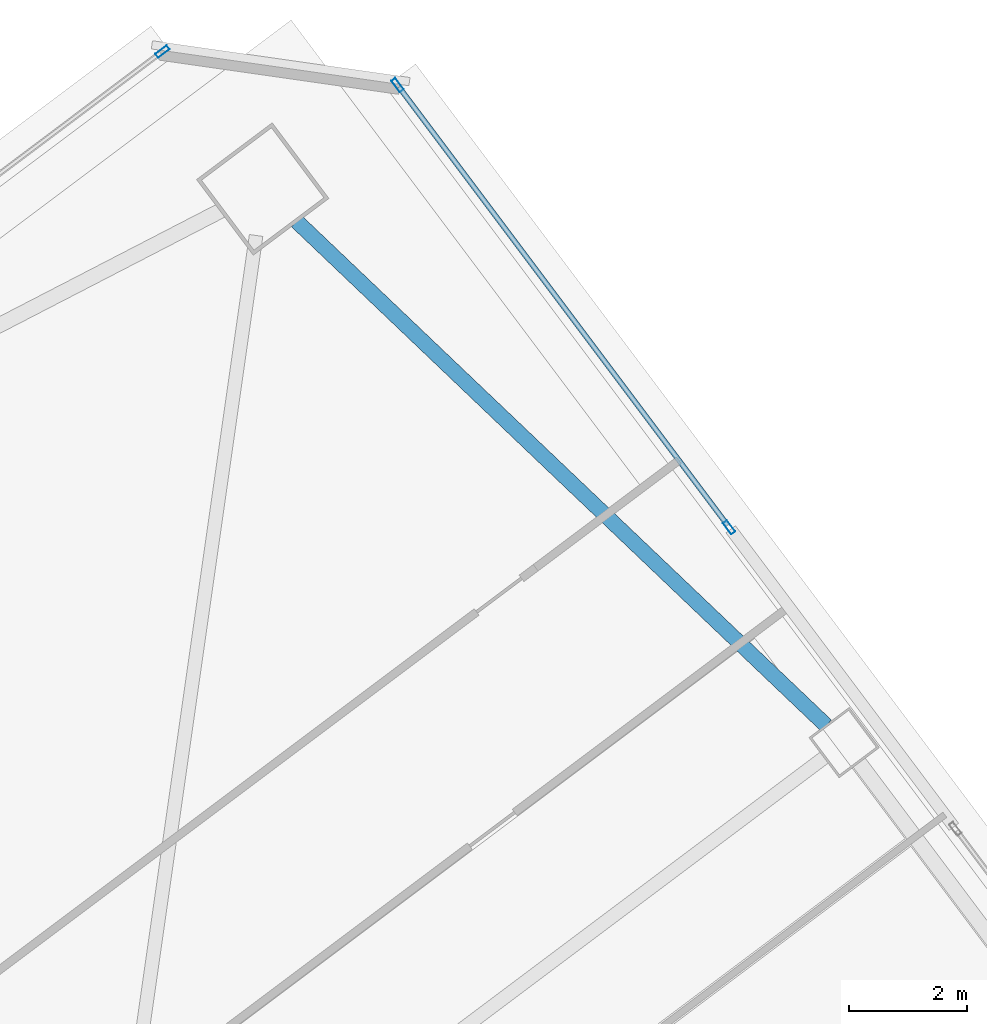
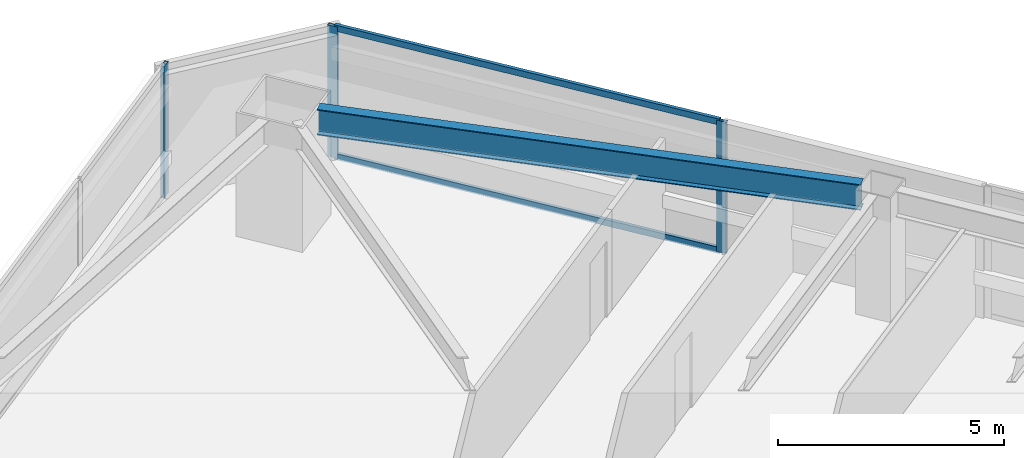
# One storey, part 30 of 45: 5 members, 1 beam, 2 elements without a shape of their own.
"""IFC4 building model written with IfcOpenShell, lengths in metres."""

from ifc_helpers import new_model, si_unit, direction, frame, origin, origin_2d, place, context, subcontext, project, spatial, hollow_rectangle, i_section, extrude, material, material_profile, profile_set, type_object, element, aggregate, save


model = new_model("IFC4")

# Units and contexts
model_context = context("Model", 3, precision=1e-05, world=origin(), true_north=direction((0.0, 1.0)))
body_context = subcontext(model_context, "Body", "Model", "MODEL_VIEW")
ifc_project = project(units=[si_unit("LENGTHUNIT", "METRE"), si_unit("AREAUNIT", "SQUARE_METRE"), si_unit("VOLUMEUNIT", "CUBIC_METRE"), si_unit("PLANEANGLEUNIT", "RADIAN"), si_unit("MASSUNIT", "GRAM", prefix="KILO")], contexts=[model_context])

# Site, building, storey
site_placement = place(None, origin())
site = spatial("IfcSite", under=ifc_project, at=site_placement, CompositionType="ELEMENT")
building_placement = place(site_placement, origin())
building = spatial("IfcBuilding", under=site, at=building_placement, Name="Tashvorn Skyway Center", CompositionType="ELEMENT")
storey_placement = place(building_placement, frame((0.0, 0.0, 35.25)))
storey = spatial("IfcBuildingStorey", under=building, at=storey_placement, Name="L08", CompositionType="ELEMENT", Elevation=35.25)

# Beam
ifc_material_1 = material(Name="Steel ASTM A992 Grade 50", Category="steel")
ifc_material_profile_1 = material_profile(ifc_material_1, i_section(OverallWidth=0.256103515625, OverallDepth=0.693115234375, WebThickness=0.014404296875, FlangeThickness=0.023681640625, at=origin_2d()), Name="W27X114")
ifc_profile_set_1 = profile_set([ifc_material_profile_1], Name="Steel ASTM A992 Grade 50")
beam_type = type_object("IfcBeamType", Name="BM-SPANDREL-W27X114", PredefinedType="SPANDREL", material=ifc_profile_set_1)
beam_placement = place(storey_placement, frame((127.2958984375, 49.23974609375, 3.00341796875), z_axis=(-0.724200339835, 0.689589637236, 0.0), x_axis=(-0.689589637236, -0.724200339835, 0.0)))
element("IfcBeam", 1, at=beam_placement, inside=storey, type_object=beam_type, Name="Tower 2 L08 Spandrel Beam 06", PredefinedType="SPANDREL", context=body_context, shape_type="SweptSolid", body=[
    extrude(i_section(OverallWidth=0.256103515625, OverallDepth=0.693115234375, WebThickness=0.014404296875, FlangeThickness=0.023681640625, at=origin_2d()), origin(), (0.0, 0.0, 1.0), 12.37255859375),
])

# Curtain wall, member
ifc_material_2 = material(Name="Thermally broken bronze-anodized aluminium 6063-T6", Category="aluminium")
curtain_wall_type = type_object("IfcCurtainWallType", Name="CW-CW-Z1", PredefinedType="NOTDEFINED", material=ifc_material_2)
curtain_wall_1_placement = place(storey_placement, origin())
curtain_wall_1 = element("IfcCurtainWall", 2, at=curtain_wall_1_placement, inside=storey, type_object=curtain_wall_type, Name="Tower 2 L08 North Curtain Wall R Glazing Group 1", PredefinedType="NOTDEFINED")
ifc_material_profile_2 = material_profile(ifc_material_2, hollow_rectangle(XDim=0.0849609375, YDim=0.239990234375, WallThickness=0.0048828125, at=origin_2d()), Name="ALU-MULL-85x240")
ifc_profile_set_2 = profile_set([ifc_material_profile_2], Name="Thermally broken bronze-anodized aluminium 6063-T6")
member_type_1 = type_object("IfcMemberType", Name="CWM-CW-Z1", PredefinedType="MULLION", material=ifc_profile_set_2)
member_1_placement = place(storey_placement, frame((116.06201171875, 60.646484375, 0.0), z_axis=(0.0, 0.0, 1.0), x_axis=(-0.599998359545, 0.800001230339, 0.0)))
member_1 = element("IfcMember", 3, at=member_1_placement, type_object=member_type_1, Name="CW-Z1 mullion 3", PredefinedType="MULLION", context=body_context, shape_type="SweptSolid", body=[
    extrude(hollow_rectangle(XDim=0.0849609375, YDim=0.239990234375, WallThickness=0.0048828125, at=origin_2d()), origin(), (0.0, 0.0, 1.0), 3.550048828125),
])
aggregate(curtain_wall_1, [member_1])

# Curtain wall, members
curtain_wall_2_placement = place(storey_placement, origin())
curtain_wall_2 = element("IfcCurtainWall", 4, at=curtain_wall_2_placement, inside=storey, type_object=curtain_wall_type, Name="Tower 2 L08 East Unitised Curtain Wall Glazing Group 1", PredefinedType="NOTDEFINED")
member_2_placement = place(storey_placement, frame((120.04150390625, 60.077880859375, 0.0), z_axis=(0.0, 0.0, 1.0), x_axis=(0.799999999998, 0.600000000002, 0.0)))
member_2 = element("IfcMember", 5, at=member_2_placement, type_object=member_type_1, Name="CW-Z1 mullion 1", PredefinedType="MULLION", context=body_context, shape_type="SweptSolid", body=[
    extrude(hollow_rectangle(XDim=0.0849609375, YDim=0.239990234375, WallThickness=0.0048828125, at=origin_2d()), origin(), (0.0, 0.0, 1.0), 3.550048828125),
])
member_3_placement = place(storey_placement, frame((125.654541015625, 52.593994140625, 0.0), z_axis=(0.0, 0.0, 1.0), x_axis=(0.799999999998, 0.600000000002, 0.0)))
member_3 = element("IfcMember", 6, at=member_3_placement, type_object=member_type_1, Name="CW-Z1 mullion 2", PredefinedType="MULLION", context=body_context, shape_type="SweptSolid", body=[
    extrude(hollow_rectangle(XDim=0.0849609375, YDim=0.239990234375, WallThickness=0.0048828125, at=origin_2d()), origin(), (0.0, 0.0, 1.0), 3.550048828125),
])
ifc_material_profile_3 = material_profile(ifc_material_2, hollow_rectangle(XDim=0.0849609375, YDim=0.1650390625, WallThickness=0.0048828125, at=origin_2d()), Name="ALU-TRAN-85x165")
ifc_profile_set_3 = profile_set([ifc_material_profile_3], Name="Thermally broken bronze-anodized aluminium 6063-T6")
member_type_2 = type_object("IfcMemberType", Name="CWT-CW-Z1", PredefinedType="USERDEFINED", material=ifc_profile_set_3)
member_4_placement = place(storey_placement, frame((120.06689453125, 60.0439453125, 0.04248046875), z_axis=(0.6, -0.8, 0.0), x_axis=(0.8, 0.6, 0.0)))
member_4 = element("IfcMember", 7, at=member_4_placement, type_object=member_type_2, Name="CW-Z1 transom 1.1", ObjectType="TRANSOM", PredefinedType="USERDEFINED", context=body_context, shape_type="SweptSolid", body=[
    extrude(hollow_rectangle(XDim=0.0849609375, YDim=0.1650390625, WallThickness=0.0048828125, at=origin_2d()), origin(), (0.0, 0.0, 1.0), 9.27001953125),
])
member_5_placement = place(storey_placement, frame((120.06689453125, 60.0439453125, 3.507568359375), z_axis=(0.6, -0.8, 0.0), x_axis=(0.8, 0.6, 0.0)))
member_5 = element("IfcMember", 8, at=member_5_placement, type_object=member_type_2, Name="CW-Z1 transom 1.2", ObjectType="TRANSOM", PredefinedType="USERDEFINED", context=body_context, shape_type="SweptSolid", body=[
    extrude(hollow_rectangle(XDim=0.0849609375, YDim=0.1650390625, WallThickness=0.0048828125, at=origin_2d()), origin(), (0.0, 0.0, 1.0), 9.27001953125),
])
aggregate(curtain_wall_2, [member_2, member_3, member_4, member_5])

save(model, "model.ifc")
